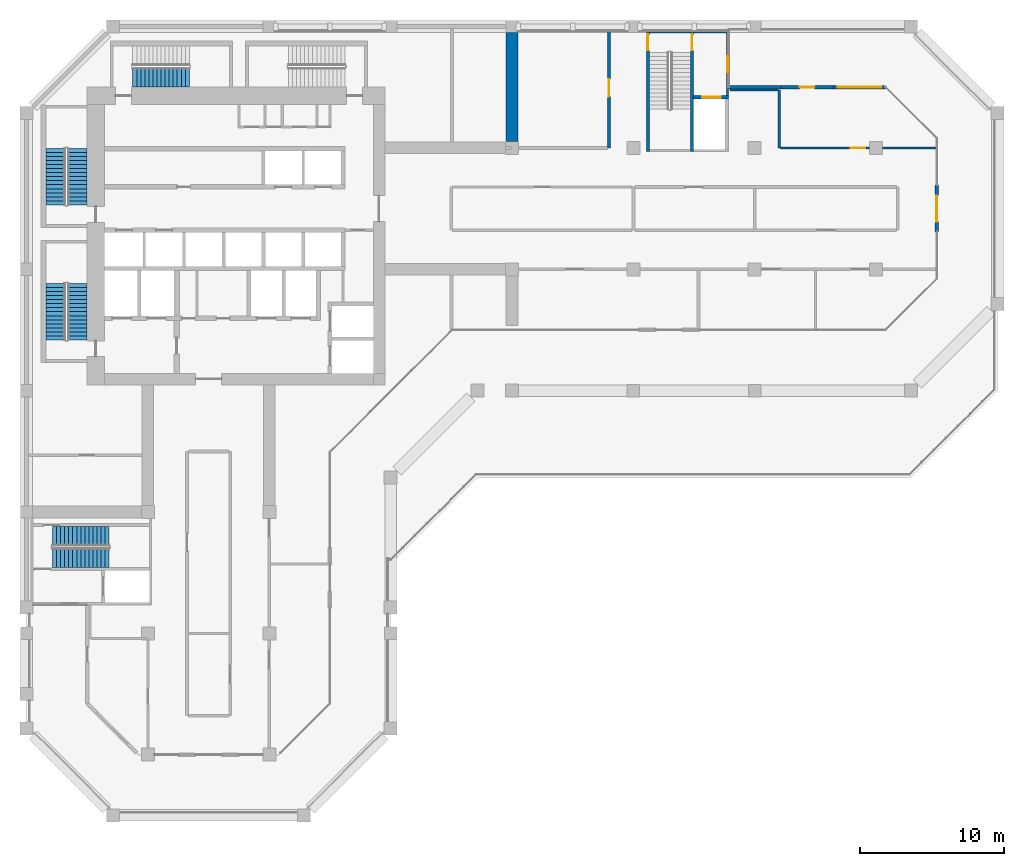
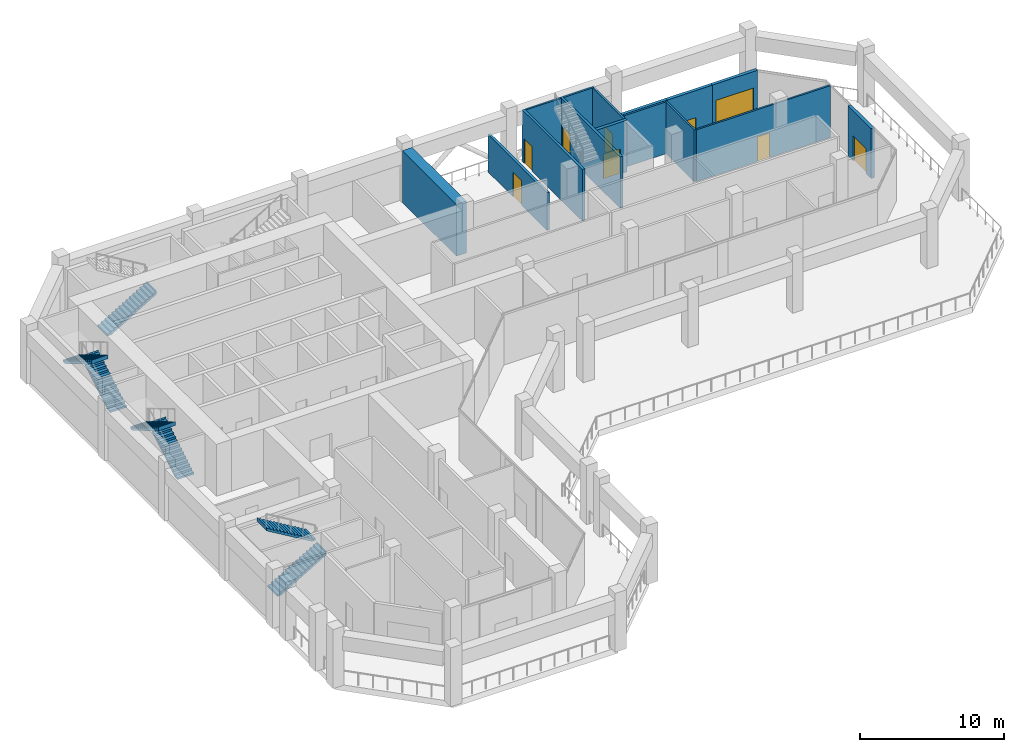
# One storey, part 8 of 14: 15 walls, 8 doors, 7 stair flights, 1 window, 9 openings, 4 elements without a shape of their own.
"""IFC4 building model written with IfcOpenShell, lengths in metres."""

from ifc_helpers import new_model, si_unit, direction, frame, frame_2d, origin, place, context, subcontext, project, spatial, polyline, rectangle, outline, extrude, material, layer, layer_set, type_object, element, fill, aggregate, save


model = new_model("IFC4")

# Units and contexts
model_context = context("Model", 3, precision=1e-05, world=origin(), true_north=direction((0.0, 1.0)))
body_context = subcontext(model_context, "Body", "Model", "MODEL_VIEW")
ifc_project = project(units=[si_unit("LENGTHUNIT", "METRE"), si_unit("AREAUNIT", "SQUARE_METRE"), si_unit("VOLUMEUNIT", "CUBIC_METRE"), si_unit("PLANEANGLEUNIT", "RADIAN"), si_unit("MASSUNIT", "GRAM", prefix="KILO")], contexts=[model_context])

# Site, building, storey
site_placement = place(None, origin())
site = spatial("IfcSite", under=ifc_project, at=site_placement, CompositionType="ELEMENT")
building_placement = place(site_placement, origin())
building = spatial("IfcBuilding", under=site, at=building_placement, Name="Kawkab Arch Medical Tower", CompositionType="ELEMENT")
storey_placement = place(building_placement, frame((0.0, 0.0, 213.0)))
storey = spatial("IfcBuildingStorey", under=building, at=storey_placement, Name="L49", CompositionType="ELEMENT", Elevation=213.0)

# Wall
ifc_material_1 = material(Name="Concrete C45/55", Category="concrete")
ifc_layer_1 = layer(ifc_material_1, 0.800048828125)
ifc_layer_set_1 = layer_set([ifc_layer_1], Name="Concrete C45/55")
wall_type_1 = type_object("IfcWallType", Name="Belt wall 800 C45/55", PredefinedType="SHEAR", material=ifc_layer_set_1)
wall_1_placement = place(storey_placement, frame((33.60009765625, -0.425048828125, 0.0), z_axis=(0.0, 0.0, 1.0), x_axis=(0.0, -1.0, 0.0)))
element("IfcWall", 1, at=wall_1_placement, inside=storey, type_object=wall_type_1, Name="Belt wall BW-L49-3", PredefinedType="SHEAR", context=body_context, shape_type="SweptSolid", body=[
    extrude(rectangle(XDim=7.52490234375, YDim=0.800048828125, at=frame_2d((3.762451171875, 0.0))), origin(), (0.0, 0.0, 1.0), 4.39990234375),
])

# Wall, opening, door
ifc_material_2 = material(Name="Gypsum board on steel studs", Category="steel")
ifc_layer_2 = layer(ifc_material_2, 0.14990234375)
ifc_layer_set_2 = layer_set([ifc_layer_2], Name="Gypsum board on steel studs")
wall_type_2 = type_object("IfcWallType", Name="Core room partition 150", PredefinedType="PARTITIONING", material=ifc_layer_set_2)
wall_2_placement = place(storey_placement, frame((48.52490234375, -4.77490234375, 0.0), z_axis=(0.0, 0.0, 1.0), x_axis=(0.0, 1.0, 0.0)))
wall_2 = element("IfcWall", 2, at=wall_2_placement, inside=storey, type_object=wall_type_2, Name="L49 core room partition", PredefinedType="PARTITIONING", context=body_context, shape_type="SweptSolid", body=[
    extrude(rectangle(XDim=4.324951171875, YDim=0.14990234375, at=frame_2d((2.16259765625, 0.0))), origin(), (0.0, 0.0, 1.0), 4.39990234375),
])
opening_1_placement = place(wall_2_placement, frame((1.625, 0.0, 0.0)))
opening_1 = element("IfcOpeningElement", 3, at=opening_1_placement, cuts=wall_2, Name="Opening FD", PredefinedType="OPENING", context=body_context, shape_type="SweptSolid", body=[
    extrude(rectangle(XDim=1.10009765625, YDim=2.10009765625, at=frame_2d((0.550048828125, 1.050048828125))), frame((0.0, 0.0849609375, 0.0), z_axis=(0.0, -1.0, 0.0), x_axis=(1.0, 0.0, 0.0)), (0.0, 0.0, 1.0), 0.169921875),
])
ifc_material_3 = material(Name="Hollow metal fire door leaf")
door_type_1 = type_object("IfcDoorType", Name="Firefighting lobby door 1100", OperationType="SINGLE_SWING_LEFT", PredefinedType="DOOR", material=ifc_material_3)
door_1_placement = place(opening_1_placement, origin())
door_1 = element("IfcDoor", 4, at=door_1_placement, inside=storey, type_object=door_type_1, Name="L49 Service lift lobby door SV1", OperationType="SINGLE_SWING_LEFT", OverallHeight=2.10009765625, OverallWidth=1.10009765625, PredefinedType="DOOR", context=body_context, shape_type="SweptSolid", body=[
    extrude(rectangle(XDim=1.10009765625, YDim=2.10009765625, at=frame_2d((0.550048828125, 1.050048828125))), frame((0.0, 0.02490234375, 0.0), z_axis=(0.0, -1.0, 0.0), x_axis=(1.0, 0.0, 0.0)), (0.0, 0.0, 1.0), 0.050048828125),
])
fill(opening_1, door_1)

ifc_material_4 = material(Name="Concrete C60/75", Category="concrete")
ifc_layer_3 = layer(ifc_material_4, 0.25)
ifc_layer_set_3 = layer_set([ifc_layer_3], Name="Concrete C60/75")
wall_type_3 = type_object("IfcWallType", Name="Core shear wall 250 C60/75", PredefinedType="SHEAR", material=ifc_layer_set_3)
wall_3_placement = place(storey_placement, frame((46.14990234375, -4.89990234375, 0.0), z_axis=(0.0, 0.0, 1.0), x_axis=(1.0, 0.0, 0.0)))
wall_3 = element("IfcWall", 5, at=wall_3_placement, inside=storey, type_object=wall_type_3, Name="L49 core shear wall", PredefinedType="SHEAR", context=body_context, shape_type="SweptSolid", body=[
    extrude(rectangle(XDim=2.4501953125, YDim=0.25, at=frame_2d((1.22509765625, 0.0))), origin(), (0.0, 0.0, 1.0), 4.39990234375),
])
opening_2_placement = place(wall_3_placement, frame((0.60009765625, 0.0, 0.0)))
opening_2 = element("IfcOpeningElement", 6, at=opening_2_placement, cuts=wall_3, Name="Opening LD2", PredefinedType="OPENING", context=body_context, shape_type="SweptSolid", body=[
    extrude(rectangle(XDim=1.300048828125, YDim=2.10009765625, at=frame_2d((0.64990234375, 1.050048828125))), frame((0.0, 0.135009765625, 0.0), z_axis=(0.0, -1.0, 0.0), x_axis=(1.0, 0.0, 0.0)), (0.0, 0.0, 1.0), 0.27001953125),
])
ifc_material_5 = material(Name="Stainless steel lift door leaf", Category="steel")
door_type_2 = type_object("IfcDoorType", Name="Lift landing door 1300", OperationType="DOUBLE_DOOR_SLIDING", PredefinedType="DOOR", material=ifc_material_5)
door_2_placement = place(opening_2_placement, origin())
door_2 = element("IfcDoor", 7, at=door_2_placement, inside=storey, type_object=door_type_2, Name="L49 Lift landing door SV1", OperationType="DOUBLE_DOOR_SLIDING", OverallHeight=2.10009765625, OverallWidth=1.300048828125, PredefinedType="DOOR", context=body_context, shape_type="SweptSolid", body=[
    extrude(rectangle(XDim=1.300048828125, YDim=2.10009765625, at=frame_2d((0.64990234375, 1.050048828125))), frame((0.0, 0.02490234375, 0.0), z_axis=(0.0, -1.0, 0.0), x_axis=(1.0, 0.0, 0.0)), (0.0, 0.0, 1.0), 0.050048828125),
])
fill(opening_2, door_2)

ifc_material_6 = material(Name="Bronze clad insulated wall panel")
ifc_layer_4 = layer(ifc_material_6, 0.25)
ifc_layer_set_4 = layer_set([ifc_layer_4], Name="Bronze clad insulated wall panel")
wall_type_4 = type_object("IfcWallType", Name="External wall bay 250", PredefinedType="SOLIDWALL", material=ifc_layer_set_4)
wall_4_placement = place(storey_placement, frame((63.0009765625, -14.219970703125, 0.0), z_axis=(0.0, 0.0, 1.0), x_axis=(0.0, 1.0, 0.0)))
wall_4 = element("IfcWall", 8, at=wall_4_placement, inside=storey, type_object=wall_type_4, Name="External wall bay L49.R13.2.1", PredefinedType="SOLIDWALL", context=body_context, shape_type="SweptSolid", body=[
    extrude(rectangle(XDim=3.239990234375, YDim=0.25, at=frame_2d((1.6201171875, 0.0))), origin(), (0.0, 0.0, 1.0), 4.239990234375),
])
opening_3_placement = place(wall_4_placement, frame((0.719970703125, 0.0, 0.0)))
opening_3 = element("IfcOpeningElement", 9, at=opening_3_placement, cuts=wall_4, Name="Opening PL2B-702", PredefinedType="OPENING", context=body_context, shape_type="SweptSolid", body=[
    extrude(rectangle(XDim=1.800048828125, YDim=2.10009765625, at=frame_2d((0.89990234375, 1.050048828125))), frame((0.0, 0.135009765625, 0.0), z_axis=(0.0, -1.0, 0.0), x_axis=(1.0, 0.0, 0.0)), (0.0, 0.0, 1.0), 0.27001953125),
])
ifc_material_7 = material(Name="Bronze anodised aluminium door with tinted glass", Category="aluminium")
door_type_3 = type_object("IfcDoorType", Name="Double external door 1800 x 2100", OperationType="DOUBLE_DOOR_SINGLE_SWING", PredefinedType="DOOR", material=ifc_material_7)
door_3_placement = place(opening_3_placement, origin())
door_3 = element("IfcDoor", 10, at=door_3_placement, inside=storey, type_object=door_type_3, Name="External door L49.R13.2.1", OperationType="DOUBLE_DOOR_SINGLE_SWING", OverallHeight=2.10009765625, OverallWidth=1.800048828125, PredefinedType="DOOR", context=body_context, shape_type="SweptSolid", body=[
    extrude(rectangle(XDim=1.800048828125, YDim=2.10009765625, at=frame_2d((0.89990234375, 1.050048828125))), frame((0.0, 0.02490234375, 0.0), z_axis=(0.0, -1.0, 0.0), x_axis=(1.0, 0.0, 0.0)), (0.0, 0.0, 1.0), 0.050048828125),
])
fill(opening_3, door_3)

# Wall, opening, window
wall_5_placement = place(storey_placement, frame((59.4599609375, -4.199951171875, 0.0), z_axis=(0.0, 0.0, 1.0), x_axis=(-1.0, 0.0, 0.0)))
wall_5 = element("IfcWall", 11, at=wall_5_placement, inside=storey, type_object=wall_type_4, Name="Plant wall L49.R15.1", PredefinedType="SOLIDWALL", context=body_context, shape_type="SweptSolid", body=[
    extrude(rectangle(XDim=3.61962890625, YDim=0.25, at=frame_2d((1.809814453125, 0.0))), origin(), (0.0, 0.0, 1.0), 4.39990234375),
])
opening_4_placement = place(wall_5_placement, frame((0.309814453125, 0.0, 0.60009765625)))
opening_4 = element("IfcOpeningElement", 12, at=opening_4_placement, cuts=wall_5, Name="Opening PW300-24-S6", PredefinedType="OPENING", context=body_context, shape_type="SweptSolid", body=[
    extrude(rectangle(XDim=3.0, YDim=2.39990234375, at=frame_2d((1.5, 1.199951171875))), frame((0.0, 0.135009765625, 0.0), z_axis=(0.0, -1.0, 0.0), x_axis=(1.0, 0.0, 0.0)), (0.0, 0.0, 1.0), 0.27001953125),
])
ifc_material_8 = material(Name="Bronze anodised aluminium louvred window", Category="aluminium")
window_type = type_object("IfcWindowType", Name="Plant louvre window 3000 x 2400 sill 600", PartitioningType="DOUBLE_PANEL_VERTICAL", PredefinedType="WINDOW", material=ifc_material_8)
window_placement = place(opening_4_placement, origin())
window = element("IfcWindow", 13, at=window_placement, inside=storey, type_object=window_type, Name="Plant louvre window L49.R15.1", OverallHeight=2.39990234375, OverallWidth=3.0, PartitioningType="SINGLE_PANEL", PredefinedType="WINDOW", context=body_context, shape_type="SweptSolid", body=[
    extrude(rectangle(XDim=3.0, YDim=2.39990234375, at=frame_2d((1.5, 1.199951171875))), frame((0.0, 0.030029296875, 0.0), z_axis=(0.0, -1.0, 0.0), x_axis=(1.0, 0.0, 0.0)), (0.0, 0.0, 1.0), 0.06005859375),
])
fill(opening_4, window)

# Wall, opening, door
wall_6_placement = place(storey_placement, frame((55.84033203125, -4.199951171875, 0.0), z_axis=(0.0, 0.0, 1.0), x_axis=(-1.0, 0.0, 0.0)))
wall_6 = element("IfcWall", 14, at=wall_6_placement, inside=storey, type_object=wall_type_4, Name="Plant wall L49.R15.2", PredefinedType="SOLIDWALL", context=body_context, shape_type="SweptSolid", body=[
    extrude(rectangle(XDim=3.61962890625, YDim=0.25, at=frame_2d((1.809814453125, 0.0))), origin(), (0.0, 0.0, 1.0), 4.39990234375),
])
opening_5_placement = place(wall_6_placement, frame((1.309326171875, 0.0, 0.0)))
opening_5 = element("IfcOpeningElement", 15, at=opening_5_placement, cuts=wall_6, Name="Opening PL2B-701", PredefinedType="OPENING", context=body_context, shape_type="SweptSolid", body=[
    extrude(rectangle(XDim=1.0, YDim=2.10009765625, at=frame_2d((0.5, 1.050048828125))), frame((0.0, 0.135009765625, 0.0), z_axis=(0.0, -1.0, 0.0), x_axis=(1.0, 0.0, 0.0)), (0.0, 0.0, 1.0), 0.27001953125),
])
ifc_material_9 = material(Name="Bronze anodised aluminium door with tinted glass", Category="aluminium")
door_type_4 = type_object("IfcDoorType", Name="Single external door 1000 x 2100", OperationType="SINGLE_SWING_LEFT", PredefinedType="DOOR", material=ifc_material_9)
door_4_placement = place(opening_5_placement, origin())
door_4 = element("IfcDoor", 16, at=door_4_placement, inside=storey, type_object=door_type_4, Name="Roof terrace door L49.R15.2", OperationType="SINGLE_SWING_LEFT", OverallHeight=2.10009765625, OverallWidth=1.0, PredefinedType="DOOR", context=body_context, shape_type="SweptSolid", body=[
    extrude(rectangle(XDim=1.0, YDim=2.10009765625, at=frame_2d((0.5, 1.050048828125))), frame((0.0, 0.02490234375, 0.0), z_axis=(0.0, -1.0, 0.0), x_axis=(1.0, 0.0, 0.0)), (0.0, 0.0, 1.0), 0.050048828125),
])
fill(opening_5, door_4)

# Wall
wall_7_placement = place(storey_placement, frame((52.220703125, -4.199951171875, 0.0), z_axis=(0.0, 0.0, 1.0), x_axis=(-1.0, 0.0, 0.0)))
element("IfcWall", 17, at=wall_7_placement, inside=storey, type_object=wall_type_4, Name="Plant wall L49.R15.3", PredefinedType="SOLIDWALL", context=body_context, shape_type="SweptSolid", body=[
    extrude(rectangle(XDim=3.61962890625, YDim=0.25, at=frame_2d((1.809814453125, 0.0))), origin(), (0.0, 0.0, 1.0), 4.39990234375),
])

# Wall, opening, door
ifc_material_10 = material(Name="Gypsum board partition on steel studs, mineral wool", Category="steel")
ifc_layer_5 = layer(ifc_material_10, 0.14990234375)
ifc_layer_set_5 = layer_set([ifc_layer_5], Name="Gypsum board partition on steel studs, mineral wool")
wall_type_5 = type_object("IfcWallType", Name="Partition 150", PredefinedType="PARTITIONING", material=ifc_layer_set_5)
wall_8_placement = place(storey_placement, frame((52.1689453125, -8.39990234375, 0.0), z_axis=(0.0, 0.0, 1.0), x_axis=(1.0, 0.0, 0.0)))
wall_8 = element("IfcWall", 18, at=wall_8_placement, inside=storey, type_object=wall_type_5, Name="Partition 150 w007", PredefinedType="PARTITIONING", context=body_context, shape_type="SweptSolid", body=[
    extrude(rectangle(XDim=10.751953125, YDim=0.14990234375, at=frame_2d((5.3759765625, 0.0))), origin(), (0.0, 0.0, 1.0), 4.39990234375),
])
opening_6_placement = place(wall_8_placement, frame((4.87890625, 0.0, 0.0)))
opening_6 = element("IfcOpeningElement", 19, at=opening_6_placement, cuts=wall_8, Name="Opening PL2B-001", PredefinedType="OPENING", context=body_context, shape_type="SweptSolid", body=[
    extrude(rectangle(XDim=1.0, YDim=2.10009765625, at=frame_2d((0.5, 1.050048828125))), frame((0.0, 0.0849609375, 0.0), z_axis=(0.0, -1.0, 0.0), x_axis=(1.0, 0.0, 0.0)), (0.0, 0.0, 1.0), 0.169921875),
])
ifc_material_11 = material(Name="Hollow metal door leaf")
door_type_5 = type_object("IfcDoorType", Name="Single door 1000x2100 FD30S", OperationType="NOTDEFINED", PredefinedType="DOOR", material=ifc_material_11)
door_5_placement = place(opening_6_placement, origin())
door_5 = element("IfcDoor", 20, at=door_5_placement, inside=storey, type_object=door_type_5, Name="Door PL2B-001", OperationType="SINGLE_SWING_RIGHT", OverallHeight=2.10009765625, OverallWidth=1.0, PredefinedType="DOOR", context=body_context, shape_type="SweptSolid", body=[
    extrude(rectangle(XDim=1.0, YDim=2.10009765625, at=frame_2d((0.5, 1.050048828125))), frame((0.0, 0.02490234375, 0.0), z_axis=(0.0, -1.0, 0.0), x_axis=(1.0, 0.0, 0.0)), (0.0, 0.0, 1.0), 0.050048828125),
])
fill(opening_6, door_5)

# Walls
wall_9_placement = place(storey_placement, frame((48.679931640625, -4.39990234375, 0.0), z_axis=(0.0, 0.0, 1.0), x_axis=(1.0, 0.0, 0.0)))
element("IfcWall", 21, at=wall_9_placement, inside=storey, type_object=wall_type_5, Name="Partition 150 w008", PredefinedType="PARTITIONING", context=body_context, shape_type="SweptSolid", body=[
    extrude(rectangle(XDim=3.336181640625, YDim=0.14990234375, at=frame_2d((1.66796875, 0.0))), origin(), (0.0, 0.0, 1.0), 4.39990234375),
])
wall_10_placement = place(storey_placement, frame((52.093017578125, -8.39794921875, 0.0), z_axis=(0.0, 0.0, 1.0), x_axis=(0.0, 1.0, 0.0)))
element("IfcWall", 22, at=wall_10_placement, inside=storey, type_object=wall_type_5, Name="Partition 150 w013", PredefinedType="PARTITIONING", context=body_context, shape_type="SweptSolid", body=[
    extrude(rectangle(XDim=3.9970703125, YDim=0.14990234375, at=frame_2d((1.99853515625, 0.0))), origin(), (0.0, 0.0, 1.0), 4.39990234375),
])

# Wall, opening, door
ifc_material_12 = material(Name="Fire-rated gypsum board partition on steel studs", Category="steel")
ifc_layer_6 = layer(ifc_material_12, 0.199951171875)
ifc_layer_set_6 = layer_set([ifc_layer_6], Name="Fire-rated gypsum board partition on steel studs")
wall_type_6 = type_object("IfcWallType", Name="Protected partition 200", PredefinedType="PARTITIONING", material=ifc_layer_set_6)
wall_11_placement = place(storey_placement, frame((40.306884765625, -8.39697265625, 0.0), z_axis=(0.0, 0.0, 1.0), x_axis=(0.0, 1.0, 0.0)))
wall_11 = element("IfcWall", 23, at=wall_11_placement, inside=storey, type_object=wall_type_6, Name="Protected partition 200 w027", PredefinedType="PARTITIONING", context=body_context, shape_type="SweptSolid", body=[
    extrude(rectangle(XDim=8.197021484375, YDim=0.199951171875, at=frame_2d((4.0986328125, 0.0))), origin(), (0.0, 0.0, 1.0), 3.199951171875),
])
opening_7_placement = place(wall_11_placement, frame((3.548095703125, 0.0, 0.0)))
opening_7 = element("IfcOpeningElement", 24, at=opening_7_placement, cuts=wall_11, Name="Opening PL2B-005", PredefinedType="OPENING", context=body_context, shape_type="SweptSolid", body=[
    extrude(rectangle(XDim=1.199951171875, YDim=2.10009765625, at=frame_2d((0.60009765625, 1.050048828125))), frame((0.0, 0.10986328125, 0.0), z_axis=(0.0, -1.0, 0.0), x_axis=(1.0, 0.0, 0.0)), (0.0, 0.0, 1.0), 0.219970703125),
])
ifc_material_13 = material(Name="Hollow metal door leaf")
door_type_6 = type_object("IfcDoorType", Name="Single door 1200x2100 FD60", OperationType="NOTDEFINED", PredefinedType="DOOR", material=ifc_material_13)
door_6_placement = place(opening_7_placement, origin())
door_6 = element("IfcDoor", 25, at=door_6_placement, inside=storey, type_object=door_type_6, Name="Door PL2B-005", OperationType="SINGLE_SWING_LEFT", OverallHeight=2.10009765625, OverallWidth=1.199951171875, PredefinedType="DOOR", context=body_context, shape_type="SweptSolid", body=[
    extrude(rectangle(XDim=1.199951171875, YDim=2.10009765625, at=frame_2d((0.60009765625, 1.050048828125))), frame((0.0, 0.02490234375, 0.0), z_axis=(0.0, -1.0, 0.0), x_axis=(1.0, 0.0, 0.0)), (0.0, 0.0, 1.0), 0.050048828125),
])
fill(opening_7, door_6)

# Walls
ifc_material_14 = material(Name="Concrete C50/60", Category="concrete")
ifc_layer_7 = layer(ifc_material_14, 0.14990234375)
ifc_layer_set_7 = layer_set([ifc_layer_7], Name="Concrete C50/60")
wall_type_7 = type_object("IfcWallType", Name="Stair enclosure wall 150 C50/60", PredefinedType="SHEAR", material=ifc_layer_set_7)
wall_12_placement = place(storey_placement, frame((43.10009765625, -0.375, 0.0), z_axis=(0.0, 0.0, 1.0), x_axis=(1.0, 0.0, 0.0)))
element("IfcWall", 26, at=wall_12_placement, inside=storey, type_object=wall_type_7, Name="L49 stair enclosure wall", PredefinedType="SHEAR", context=body_context, shape_type="SweptSolid", body=[
    extrude(rectangle(XDim=2.849853515625, YDim=0.14990234375, at=frame_2d((1.4248046875, 0.0))), origin(), (0.0, 0.0, 1.0), 4.39990234375),
])
wall_13_placement = place(storey_placement, frame((46.14990234375, -0.375, 0.0), z_axis=(0.0, 0.0, 1.0), x_axis=(1.0, 0.0, 0.0)))
element("IfcWall", 27, at=wall_13_placement, inside=storey, type_object=wall_type_7, Name="L49 stair enclosure wall", PredefinedType="SHEAR", context=body_context, shape_type="SweptSolid", body=[
    extrude(rectangle(XDim=2.4501953125, YDim=0.14990234375, at=frame_2d((1.22509765625, 0.0))), origin(), (0.0, 0.0, 1.0), 4.39990234375),
])

# Wall, opening, door
ifc_material_15 = material(Name="Concrete C50/60", Category="concrete")
ifc_layer_8 = layer(ifc_material_15, 0.199951171875)
ifc_layer_set_8 = layer_set([ifc_layer_8], Name="Concrete C50/60")
wall_type_8 = type_object("IfcWallType", Name="Stair enclosure wall 200 C50/60", PredefinedType="SHEAR", material=ifc_layer_set_8)
wall_14_placement = place(storey_placement, frame((43.0, -8.64990234375, 0.0), z_axis=(0.0, 0.0, 1.0), x_axis=(0.0, 1.0, 0.0)))
wall_14 = element("IfcWall", 28, at=wall_14_placement, inside=storey, type_object=wall_type_8, Name="L49 stair enclosure wall", PredefinedType="SHEAR", context=body_context, shape_type="SweptSolid", body=[
    extrude(rectangle(XDim=8.349853515625, YDim=0.199951171875, at=frame_2d((4.1748046875, 0.0))), origin(), (0.0, 0.0, 1.0), 4.39990234375),
])
opening_8_placement = place(wall_14_placement, frame((7.0, 0.0, 0.0)))
opening_8 = element("IfcOpeningElement", 29, at=opening_8_placement, cuts=wall_14, Name="Opening SD", PredefinedType="OPENING", context=body_context, shape_type="SweptSolid", body=[
    extrude(rectangle(XDim=1.10009765625, YDim=2.10009765625, at=frame_2d((0.550048828125, 1.050048828125))), frame((0.0, 0.10986328125, 0.0), z_axis=(0.0, -1.0, 0.0), x_axis=(1.0, 0.0, 0.0)), (0.0, 0.0, 1.0), 0.219970703125),
])
ifc_material_16 = material(Name="Hollow metal fire door leaf")
door_type_7 = type_object("IfcDoorType", Name="Exit stair door 1100", OperationType="SINGLE_SWING_LEFT", PredefinedType="DOOR", material=ifc_material_16)
door_7_placement = place(opening_8_placement, frame((1.10009765625, 0.0, 0.0), z_axis=(0.0, 0.0, 1.0), x_axis=(-1.0, 0.0, 0.0)))
door_7 = element("IfcDoor", 30, at=door_7_placement, inside=storey, type_object=door_type_7, Name="L49 Exit stair ST5 door", OperationType="SINGLE_SWING_LEFT", OverallHeight=2.10009765625, OverallWidth=1.10009765625, PredefinedType="DOOR", context=body_context, shape_type="SweptSolid", body=[
    extrude(rectangle(XDim=1.10009765625, YDim=2.10009765625, at=frame_2d((0.550048828125, 1.050048828125))), frame((0.0, 0.02490234375, 0.0), z_axis=(0.0, -1.0, 0.0), x_axis=(1.0, 0.0, 0.0)), (0.0, 0.0, 1.0), 0.050048828125),
])
fill(opening_8, door_7)

wall_15_placement = place(storey_placement, frame((46.050048828125, -8.64990234375, 0.0), z_axis=(0.0, 0.0, 1.0), x_axis=(0.0, 1.0, 0.0)))
wall_15 = element("IfcWall", 31, at=wall_15_placement, inside=storey, type_object=wall_type_8, Name="L49 stair enclosure wall", PredefinedType="SHEAR", context=body_context, shape_type="SweptSolid", body=[
    extrude(rectangle(XDim=8.349853515625, YDim=0.199951171875, at=frame_2d((4.1748046875, 0.0))), origin(), (0.0, 0.0, 1.0), 4.39990234375),
])
opening_9_placement = place(wall_15_placement, frame((7.0, 0.0, 0.0)))
opening_9 = element("IfcOpeningElement", 32, at=opening_9_placement, cuts=wall_15, Name="Opening SD", PredefinedType="OPENING", context=body_context, shape_type="SweptSolid", body=[
    extrude(rectangle(XDim=1.10009765625, YDim=2.10009765625, at=frame_2d((0.550048828125, 1.050048828125))), frame((0.0, 0.10986328125, 0.0), z_axis=(0.0, -1.0, 0.0), x_axis=(1.0, 0.0, 0.0)), (0.0, 0.0, 1.0), 0.219970703125),
])
door_8_placement = place(opening_9_placement, origin())
door_8 = element("IfcDoor", 33, at=door_8_placement, inside=storey, type_object=door_type_7, Name="L49 Exit stair ST5 lobby door", OperationType="SINGLE_SWING_LEFT", OverallHeight=2.10009765625, OverallWidth=1.10009765625, PredefinedType="DOOR", context=body_context, shape_type="SweptSolid", body=[
    extrude(rectangle(XDim=1.10009765625, YDim=2.10009765625, at=frame_2d((0.550048828125, 1.050048828125))), frame((0.0, 0.02490234375, 0.0), z_axis=(0.0, -1.0, 0.0), x_axis=(1.0, 0.0, 0.0)), (0.0, 0.0, 1.0), 0.050048828125),
])
fill(opening_9, door_8)

# Stair, stair flights
ifc_material_17 = material(Name="Concrete C40/50", Category="concrete")
stair_type = type_object("IfcStairType", Name="Exit stair 1350", PredefinedType="HALF_TURN_STAIR", material=ifc_material_17)
placement = place(storey_placement, origin())
stair_1 = element("IfcStair", 34, at=placement, inside=storey, type_object=stair_type, Name="L49 Exit stair ST1", PredefinedType="HALF_TURN_STAIR")
ifc_material_18 = material(Name="Concrete C40/50", Category="concrete")
stair_flight_type = type_object("IfcStairFlightType", Name="Exit stair flight 1350", PredefinedType="STRAIGHT", material=ifc_material_18)
stair_flight_1_placement = place(storey_placement, frame((3.52490234375, -12.35009765625, 0.0), z_axis=(0.0, 0.0, 1.0), x_axis=(0.0, 1.0, 0.0)))
stair_flight_1 = element("IfcStairFlight", 35, at=stair_flight_1_placement, type_object=stair_flight_type, Name="ST1 flight 1", NumberOfRisers=15, NumberOfTreads=14, PredefinedType="STRAIGHT", RiserHeight=0.166666667, TreadLength=0.28, context=body_context, shape_type="SweptSolid", body=[
    extrude(outline(polyline([(-0.0029296875, 0.0), (-0.0029296875, 0.166748046875), (0.0, 0.166748046875), (0.280029296875, 0.166748046875), (0.280029296875, 0.333251953125), (0.56005859375, 0.333251953125), (0.56005859375, 0.5), (0.840087890625, 0.5), (0.840087890625, 0.666748046875), (1.1201171875, 0.666748046875), (1.1201171875, 0.833251953125), (1.39990234375, 0.833251953125), (1.39990234375, 1.0), (1.679931640625, 1.0), (1.679931640625, 1.166748046875), (1.9599609375, 1.166748046875), (1.9599609375, 1.333251953125), (2.239990234375, 1.333251953125), (2.239990234375, 1.5), (2.52001953125, 1.5), (2.52001953125, 1.666748046875), (2.800048828125, 1.666748046875), (2.800048828125, 1.833251953125), (3.080078125, 1.833251953125), (3.080078125, 2.0), (3.360107421875, 2.0), (3.360107421875, 2.166748046875), (3.639892578125, 2.166748046875), (3.639892578125, 2.333251953125), (3.919921875, 2.333251953125), (3.919921875, 2.5), (3.923095703125, 2.5), (3.923095703125, 2.158935546875), (3.919921875, 2.158935546875), (0.29296875, 0.0), (-0.0029296875, 0.0)])), frame((0.0, 0.675048828125, 0.0), z_axis=(0.0, -1.0, 0.0), x_axis=(1.0, 0.0, 0.0)), (0.0, 0.0, 1.0), 1.35009765625),
])
stair_flight_2_placement = place(storey_placement, frame((2.02490234375, -8.429931640625, 2.5), z_axis=(0.0, 0.0, 1.0), x_axis=(0.0, -1.0, 0.0)))
stair_flight_2 = element("IfcStairFlight", 36, at=stair_flight_2_placement, type_object=stair_flight_type, Name="ST1 flight 2", NumberOfRisers=15, NumberOfTreads=14, PredefinedType="STRAIGHT", RiserHeight=0.166666667, TreadLength=0.28, context=body_context, shape_type="SweptSolid", body=[
    extrude(outline(polyline([(-0.0029296875, 0.0), (-0.0029296875, 0.166748046875), (0.0, 0.166748046875), (0.280029296875, 0.166748046875), (0.280029296875, 0.333251953125), (0.56005859375, 0.333251953125), (0.56005859375, 0.5), (0.840087890625, 0.5), (0.840087890625, 0.666748046875), (1.1201171875, 0.666748046875), (1.1201171875, 0.833251953125), (1.39990234375, 0.833251953125), (1.39990234375, 1.0), (1.679931640625, 1.0), (1.679931640625, 1.166748046875), (1.9599609375, 1.166748046875), (1.9599609375, 1.333251953125), (2.239990234375, 1.333251953125), (2.239990234375, 1.5), (2.52001953125, 1.5), (2.52001953125, 1.666748046875), (2.800048828125, 1.666748046875), (2.800048828125, 1.833251953125), (3.080078125, 1.833251953125), (3.080078125, 2.0), (3.360107421875, 2.0), (3.360107421875, 2.166748046875), (3.639892578125, 2.166748046875), (3.639892578125, 2.333251953125), (3.919921875, 2.333251953125), (3.919921875, 2.5), (3.923095703125, 2.5), (3.923095703125, 2.158935546875), (3.919921875, 2.158935546875), (0.29296875, 0.0), (-0.0029296875, 0.0)])), frame((0.0, 0.675048828125, 0.0), z_axis=(0.0, -1.0, 0.0), x_axis=(1.0, 0.0, 0.0)), (0.0, 0.0, 1.0), 1.35009765625),
])
aggregate(stair_1, [stair_flight_1, stair_flight_2])

stair_2 = element("IfcStair", 37, at=placement, inside=storey, type_object=stair_type, Name="L49 Exit stair ST2", PredefinedType="HALF_TURN_STAIR")
stair_flight_3_placement = place(storey_placement, frame((3.52490234375, -21.699951171875, 0.0), z_axis=(0.0, 0.0, 1.0), x_axis=(0.0, 1.0, 0.0)))
stair_flight_3 = element("IfcStairFlight", 38, at=stair_flight_3_placement, type_object=stair_flight_type, Name="ST2 flight 1", NumberOfRisers=15, NumberOfTreads=14, PredefinedType="STRAIGHT", RiserHeight=0.166666667, TreadLength=0.28, context=body_context, shape_type="SweptSolid", body=[
    extrude(outline(polyline([(-0.0029296875, 0.0), (-0.0029296875, 0.166748046875), (0.0, 0.166748046875), (0.280029296875, 0.166748046875), (0.280029296875, 0.333251953125), (0.56005859375, 0.333251953125), (0.56005859375, 0.5), (0.840087890625, 0.5), (0.840087890625, 0.666748046875), (1.1201171875, 0.666748046875), (1.1201171875, 0.833251953125), (1.39990234375, 0.833251953125), (1.39990234375, 1.0), (1.679931640625, 1.0), (1.679931640625, 1.166748046875), (1.9599609375, 1.166748046875), (1.9599609375, 1.333251953125), (2.239990234375, 1.333251953125), (2.239990234375, 1.5), (2.52001953125, 1.5), (2.52001953125, 1.666748046875), (2.800048828125, 1.666748046875), (2.800048828125, 1.833251953125), (3.080078125, 1.833251953125), (3.080078125, 2.0), (3.360107421875, 2.0), (3.360107421875, 2.166748046875), (3.639892578125, 2.166748046875), (3.639892578125, 2.333251953125), (3.919921875, 2.333251953125), (3.919921875, 2.5), (3.923095703125, 2.5), (3.923095703125, 2.158935546875), (3.919921875, 2.158935546875), (0.29296875, 0.0), (-0.0029296875, 0.0)])), frame((0.0, 0.675048828125, 0.0), z_axis=(0.0, -1.0, 0.0), x_axis=(1.0, 0.0, 0.0)), (0.0, 0.0, 1.0), 1.35009765625),
])
stair_flight_4_placement = place(storey_placement, frame((2.02490234375, -17.780029296875, 2.5), z_axis=(0.0, 0.0, 1.0), x_axis=(0.0, -1.0, 0.0)))
stair_flight_4 = element("IfcStairFlight", 39, at=stair_flight_4_placement, type_object=stair_flight_type, Name="ST2 flight 2", NumberOfRisers=15, NumberOfTreads=14, PredefinedType="STRAIGHT", RiserHeight=0.166666667, TreadLength=0.28, context=body_context, shape_type="SweptSolid", body=[
    extrude(outline(polyline([(-0.0029296875, 0.0), (-0.0029296875, 0.166748046875), (0.0, 0.166748046875), (0.280029296875, 0.166748046875), (0.280029296875, 0.333251953125), (0.56005859375, 0.333251953125), (0.56005859375, 0.5), (0.840087890625, 0.5), (0.840087890625, 0.666748046875), (1.1201171875, 0.666748046875), (1.1201171875, 0.833251953125), (1.39990234375, 0.833251953125), (1.39990234375, 1.0), (1.679931640625, 1.0), (1.679931640625, 1.166748046875), (1.9599609375, 1.166748046875), (1.9599609375, 1.333251953125), (2.239990234375, 1.333251953125), (2.239990234375, 1.5), (2.52001953125, 1.5), (2.52001953125, 1.666748046875), (2.800048828125, 1.666748046875), (2.800048828125, 1.833251953125), (3.080078125, 1.833251953125), (3.080078125, 2.0), (3.360107421875, 2.0), (3.360107421875, 2.166748046875), (3.639892578125, 2.166748046875), (3.639892578125, 2.333251953125), (3.919921875, 2.333251953125), (3.919921875, 2.5), (3.923095703125, 2.5), (3.923095703125, 2.158935546875), (3.919921875, 2.158935546875), (0.29296875, 0.0), (-0.0029296875, 0.0)])), frame((0.0, 0.675048828125, 0.0), z_axis=(0.0, -1.0, 0.0), x_axis=(1.0, 0.0, 0.0)), (0.0, 0.0, 1.0), 1.35009765625),
])
aggregate(stair_2, [stair_flight_3, stair_flight_4])

# Stair, stair flight
stair_3 = element("IfcStair", 40, at=placement, inside=storey, type_object=stair_type, Name="L49 Exit stair ST3", PredefinedType="HALF_TURN_STAIR")
stair_flight_5_placement = place(storey_placement, frame((7.35009765625, -3.52490234375, 0.0), z_axis=(0.0, 0.0, 1.0), x_axis=(1.0, 0.0, 0.0)))
stair_flight_5 = element("IfcStairFlight", 41, at=stair_flight_5_placement, type_object=stair_flight_type, Name="ST3 flight 1", NumberOfRisers=15, NumberOfTreads=14, PredefinedType="STRAIGHT", RiserHeight=0.166666667, TreadLength=0.28, context=body_context, shape_type="SweptSolid", body=[
    extrude(outline(polyline([(-0.0029296875, 0.0), (-0.0029296875, 0.166748046875), (0.0, 0.166748046875), (0.280029296875, 0.166748046875), (0.280029296875, 0.333251953125), (0.56005859375, 0.333251953125), (0.56005859375, 0.5), (0.840087890625, 0.5), (0.840087890625, 0.666748046875), (1.1201171875, 0.666748046875), (1.1201171875, 0.833251953125), (1.39990234375, 0.833251953125), (1.39990234375, 1.0), (1.679931640625, 1.0), (1.679931640625, 1.166748046875), (1.9599609375, 1.166748046875), (1.9599609375, 1.333251953125), (2.239990234375, 1.333251953125), (2.239990234375, 1.5), (2.52001953125, 1.5), (2.52001953125, 1.666748046875), (2.800048828125, 1.666748046875), (2.800048828125, 1.833251953125), (3.080078125, 1.833251953125), (3.080078125, 2.0), (3.360107421875, 2.0), (3.360107421875, 2.166748046875), (3.639892578125, 2.166748046875), (3.639892578125, 2.333251953125), (3.919921875, 2.333251953125), (3.919921875, 2.5), (3.923095703125, 2.5), (3.923095703125, 2.158935546875), (3.919921875, 2.158935546875), (0.29296875, 0.0), (-0.0029296875, 0.0)])), frame((0.0, 0.675048828125, 0.0), z_axis=(0.0, -1.0, 0.0), x_axis=(1.0, 0.0, 0.0)), (0.0, 0.0, 1.0), 1.35009765625),
])
aggregate(stair_3, [stair_flight_5])

# Stair, stair flights
stair_4 = element("IfcStair", 42, at=placement, inside=storey, type_object=stair_type, Name="L49 Exit stair ST6", PredefinedType="HALF_TURN_STAIR")
stair_flight_6_placement = place(storey_placement, frame((1.800048828125, -36.77490234375, 0.0), z_axis=(0.0, 0.0, 1.0), x_axis=(1.0, 0.0, 0.0)))
stair_flight_6 = element("IfcStairFlight", 43, at=stair_flight_6_placement, type_object=stair_flight_type, Name="ST6 flight 1", NumberOfRisers=15, NumberOfTreads=14, PredefinedType="STRAIGHT", RiserHeight=0.166666667, TreadLength=0.28, context=body_context, shape_type="SweptSolid", body=[
    extrude(outline(polyline([(-0.0029296875, 0.0), (-0.0029296875, 0.166748046875), (0.0, 0.166748046875), (0.280029296875, 0.166748046875), (0.280029296875, 0.333251953125), (0.56005859375, 0.333251953125), (0.56005859375, 0.5), (0.840087890625, 0.5), (0.840087890625, 0.666748046875), (1.1201171875, 0.666748046875), (1.1201171875, 0.833251953125), (1.39990234375, 0.833251953125), (1.39990234375, 1.0), (1.679931640625, 1.0), (1.679931640625, 1.166748046875), (1.9599609375, 1.166748046875), (1.9599609375, 1.333251953125), (2.239990234375, 1.333251953125), (2.239990234375, 1.5), (2.52001953125, 1.5), (2.52001953125, 1.666748046875), (2.800048828125, 1.666748046875), (2.800048828125, 1.833251953125), (3.080078125, 1.833251953125), (3.080078125, 2.0), (3.360107421875, 2.0), (3.360107421875, 2.166748046875), (3.639892578125, 2.166748046875), (3.639892578125, 2.333251953125), (3.919921875, 2.333251953125), (3.919921875, 2.5), (3.923095703125, 2.5), (3.923095703125, 2.158935546875), (3.919921875, 2.158935546875), (0.29296875, 0.0), (-0.0029296875, 0.0)])), frame((0.0, 0.675048828125, 0.0), z_axis=(0.0, -1.0, 0.0), x_axis=(1.0, 0.0, 0.0)), (0.0, 0.0, 1.0), 1.35009765625),
])
stair_flight_7_placement = place(storey_placement, frame((5.719970703125, -35.27490234375, 2.5), z_axis=(0.0, 0.0, 1.0), x_axis=(-1.0, 0.0, 0.0)))
stair_flight_7 = element("IfcStairFlight", 44, at=stair_flight_7_placement, type_object=stair_flight_type, Name="ST6 flight 2", NumberOfRisers=15, NumberOfTreads=14, PredefinedType="STRAIGHT", RiserHeight=0.166666667, TreadLength=0.28, context=body_context, shape_type="SweptSolid", body=[
    extrude(outline(polyline([(-0.0029296875, 0.0), (-0.0029296875, 0.166748046875), (0.0, 0.166748046875), (0.280029296875, 0.166748046875), (0.280029296875, 0.333251953125), (0.56005859375, 0.333251953125), (0.56005859375, 0.5), (0.840087890625, 0.5), (0.840087890625, 0.666748046875), (1.1201171875, 0.666748046875), (1.1201171875, 0.833251953125), (1.39990234375, 0.833251953125), (1.39990234375, 1.0), (1.679931640625, 1.0), (1.679931640625, 1.166748046875), (1.9599609375, 1.166748046875), (1.9599609375, 1.333251953125), (2.239990234375, 1.333251953125), (2.239990234375, 1.5), (2.52001953125, 1.5), (2.52001953125, 1.666748046875), (2.800048828125, 1.666748046875), (2.800048828125, 1.833251953125), (3.080078125, 1.833251953125), (3.080078125, 2.0), (3.360107421875, 2.0), (3.360107421875, 2.166748046875), (3.639892578125, 2.166748046875), (3.639892578125, 2.333251953125), (3.919921875, 2.333251953125), (3.919921875, 2.5), (3.923095703125, 2.5), (3.923095703125, 2.158935546875), (3.919921875, 2.158935546875), (0.29296875, 0.0), (-0.0029296875, 0.0)])), frame((0.0, 0.675048828125, 0.0), z_axis=(0.0, -1.0, 0.0), x_axis=(1.0, 0.0, 0.0)), (0.0, 0.0, 1.0), 1.35009765625),
])
aggregate(stair_4, [stair_flight_6, stair_flight_7])

save(model, "model.ifc")
